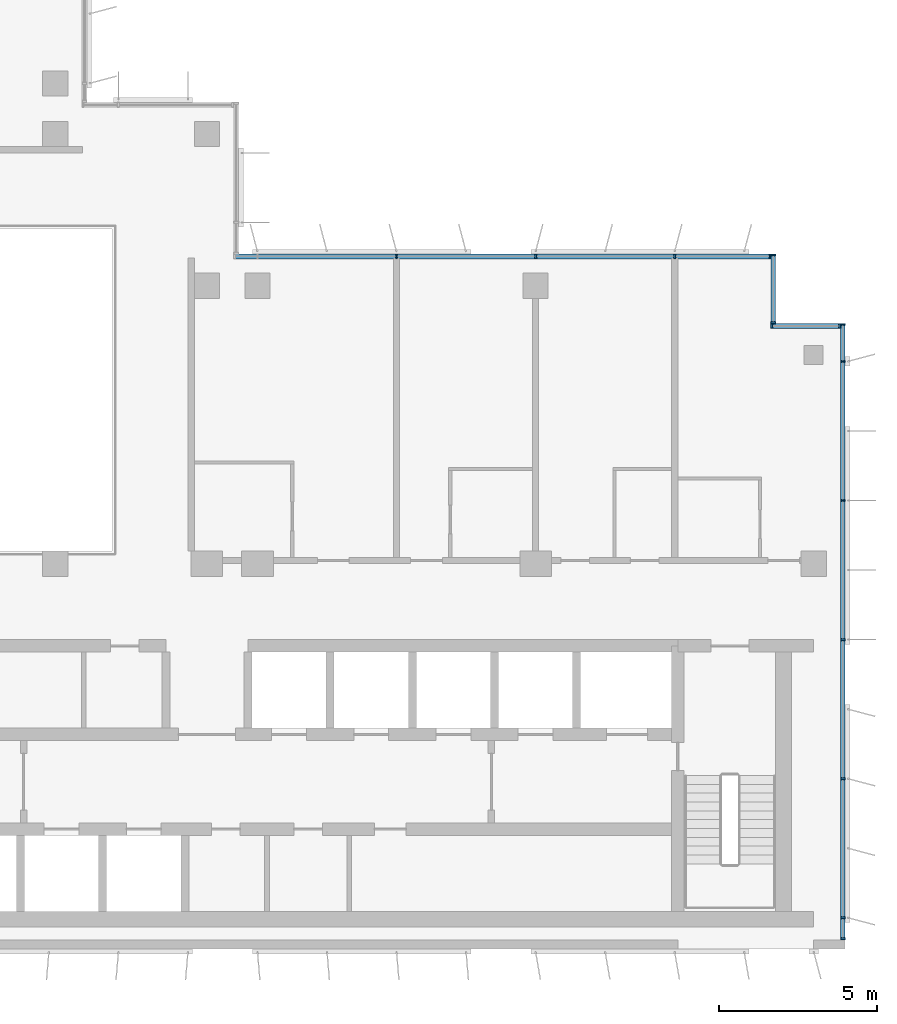
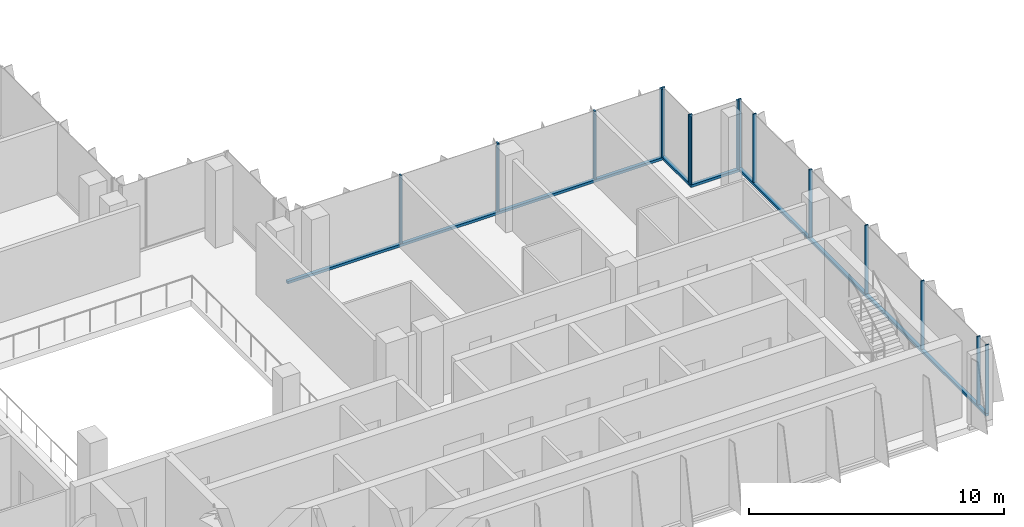
# One storey, part 3 of 15: 19 members, 4 elements without a shape of their own.
"""IFC4 building model written with IfcOpenShell, lengths in metres."""

from ifc_helpers import new_model, si_unit, direction, frame, origin, origin_2d, place, context, subcontext, project, spatial, rectangle, extrude, source, transform, mapped, material, material_profile, profile_set, type_object, element, aggregate, save


model = new_model("IFC4")

# Units and contexts
model_context = context("Model", 3, precision=1e-05, world=origin(), true_north=direction((0.0, 1.0)))
body_context = subcontext(model_context, "Body", "Model", "MODEL_VIEW")
ifc_project = project(units=[si_unit("LENGTHUNIT", "METRE"), si_unit("AREAUNIT", "SQUARE_METRE"), si_unit("VOLUMEUNIT", "CUBIC_METRE"), si_unit("PLANEANGLEUNIT", "RADIAN"), si_unit("MASSUNIT", "GRAM", prefix="KILO")], contexts=[model_context])

# Site, building, storey
site_placement = place(None, origin())
site = spatial("IfcSite", under=ifc_project, at=site_placement, CompositionType="ELEMENT")
building_placement = place(site_placement, origin())
building = spatial("IfcBuilding", under=site, at=building_placement, Name="Kemantara Hotel Tower", CompositionType="ELEMENT")
storey_placement = place(building_placement, frame((0.0, 0.0, 279.60009765625)))
storey = spatial("IfcBuildingStorey", under=building, at=storey_placement, Name="L70", CompositionType="ELEMENT", Elevation=279.60009765625)

# Curtain wall, member
ifc_material_1 = material(Name="Low-E tinted double insulated glass 36 mm", Category="glass")
curtain_wall_type = type_object("IfcCurtainWallType", Name="TOWER CURTAIN WALL, FRONT FACES", PredefinedType="USERDEFINED", material=ifc_material_1)
curtain_wall_1_placement = place(storey_placement, origin())
curtain_wall_1 = element("IfcCurtainWall", 1, at=curtain_wall_1_placement, inside=storey, type_object=curtain_wall_type, Name="CW4 L70 T4-R09-1", ObjectType="TOWER CURTAIN WALL, FRONT FACES", PredefinedType="USERDEFINED")
ifc_material_2 = material(Name="Aluminium 6063-T6 bronze anodised", Category="aluminium")
ifc_material_profile_1 = material_profile(ifc_material_2, rectangle(XDim=0.14990234375, YDim=0.1201171875, at=origin_2d()), Name="TOWER CURTAIN WALL, FRONT FACES TRANSOM")
ifc_profile_set_1 = profile_set([ifc_material_profile_1], Name="Aluminium 6063-T6 bronze anodised")
member_type_1 = type_object("IfcMemberType", Name="TOWER CURTAIN WALL, FRONT FACES TRANSOM", PredefinedType="USERDEFINED", material=ifc_profile_set_1)
member_1_placement = place(storey_placement, frame((45.925048828125, 0.300048828125, 0.059814453125), z_axis=(0.0, 1.0, 0.0), x_axis=(-1.0, 0.0, 0.0)))
member_1 = element("IfcMember", 2, at=member_1_placement, type_object=member_type_1, Name="CW4 sill transom T4-R09-1", ObjectType="TRANSOM", PredefinedType="USERDEFINED", context=body_context, shape_type="SweptSolid", body=[
    extrude(rectangle(XDim=0.14990234375, YDim=0.1201171875, at=origin_2d()), origin(), (0.0, 0.0, 1.0), 19.5),
])

curtain_wall_2_placement = place(storey_placement, origin())
curtain_wall_2 = element("IfcCurtainWall", 3, at=curtain_wall_2_placement, inside=storey, type_object=curtain_wall_type, Name="CW4 L70 T4-R12-1", ObjectType="TOWER CURTAIN WALL, FRONT FACES", PredefinedType="USERDEFINED")
member_2_placement = place(storey_placement, frame((43.64990234375, 21.925048828125, 0.059814453125), z_axis=(-1.0, 0.0, 0.0), x_axis=(0.0, -1.0, 0.0)))
member_2 = element("IfcMember", 4, at=member_2_placement, type_object=member_type_1, Name="CW4 sill transom T4-R12-1", ObjectType="TRANSOM", PredefinedType="USERDEFINED", context=body_context, shape_type="SweptSolid", body=[
    extrude(rectangle(XDim=0.14990234375, YDim=0.1201171875, at=origin_2d()), origin(), (0.0, 0.0, 1.0), 17.0),
])

curtain_wall_3_placement = place(storey_placement, origin())
curtain_wall_3 = element("IfcCurtainWall", 5, at=curtain_wall_3_placement, inside=storey, type_object=curtain_wall_type, Name="CW4 L70 T4-R10-1", ObjectType="TOWER CURTAIN WALL, FRONT FACES", PredefinedType="USERDEFINED")
member_3_placement = place(storey_placement, frame((45.85009765625, 19.72509765625, 0.059814453125), z_axis=(-1.0, 0.0, 0.0), x_axis=(0.0, -1.0, 0.0)))
member_3 = element("IfcMember", 6, at=member_3_placement, type_object=member_type_1, Name="CW4 sill transom T4-R10-1", ObjectType="TRANSOM", PredefinedType="USERDEFINED", context=body_context, shape_type="SweptSolid", body=[
    extrude(rectangle(XDim=0.14990234375, YDim=0.1201171875, at=origin_2d()), origin(), (0.0, 0.0, 1.0), 2.2001953125),
])

curtain_wall_4_placement = place(storey_placement, origin())
curtain_wall_4 = element("IfcCurtainWall", 7, at=curtain_wall_4_placement, inside=storey, type_object=curtain_wall_type, Name="CW4 L70 T4-R11-1", ObjectType="TOWER CURTAIN WALL, FRONT FACES", PredefinedType="USERDEFINED")
member_4_placement = place(storey_placement, frame((43.72509765625, 19.800048828125, 0.059814453125), z_axis=(0.0, 1.0, 0.0), x_axis=(-1.0, 0.0, 0.0)))
member_4 = element("IfcMember", 8, at=member_4_placement, type_object=member_type_1, Name="CW4 sill transom T4-R11-1", ObjectType="TRANSOM", PredefinedType="USERDEFINED", context=body_context, shape_type="SweptSolid", body=[
    extrude(rectangle(XDim=0.14990234375, YDim=0.1201171875, at=origin_2d()), origin(), (0.0, 0.0, 1.0), 2.199951171875),
])

# Member
ifc_material_profile_2 = material_profile(ifc_material_2, rectangle(XDim=0.14990234375, YDim=0.06005859375, at=origin_2d()), Name="TOWER CURTAIN WALL, FRONT FACES MULLION")
ifc_profile_set_2 = profile_set([ifc_material_profile_2], Name="Aluminium 6063-T6 bronze anodised")
member_type_2 = type_object("IfcMemberType", Name="TOWER CURTAIN WALL, FRONT FACES MULLION", PredefinedType="MULLION", material=ifc_profile_set_2)
shared_shape = source(origin(), body_context, "Body", "SweptSolid", [
    extrude(rectangle(XDim=0.14990234375, YDim=0.06005859375, at=origin_2d()), origin(), (0.0, 0.0, 1.0), 3.280029296875),
])
member_5_placement = place(storey_placement, frame((45.925048828125, 0.330078125, 0.119873046875), z_axis=(0.0, 0.0, 1.0), x_axis=(-1.0, 0.0, 0.0)))
member_5 = element("IfcMember", 9, at=member_5_placement, type_object=member_type_2, Name="CW4 mullion T4-R09-1.1", PredefinedType="MULLION", context=body_context, shape_type="MappedRepresentation", body=[
    mapped(shared_shape, transform((0.0, 0.0, 0.0))),
])

member_6_placement = place(storey_placement, frame((45.925048828125, 1.0, 0.119873046875), z_axis=(0.0, 0.0, 1.0), x_axis=(-1.0, 0.0, 0.0)))
member_6 = element("IfcMember", 10, at=member_6_placement, type_object=member_type_2, Name="CW4 mullion T4-R09-1.2", PredefinedType="MULLION", context=body_context, shape_type="MappedRepresentation", body=[
    mapped(shared_shape, transform((0.0, 0.0, 0.0))),
])

member_7_placement = place(storey_placement, frame((45.925048828125, 5.39990234375, 0.119873046875), z_axis=(0.0, 0.0, 1.0), x_axis=(-1.0, 0.0, 0.0)))
member_7 = element("IfcMember", 11, at=member_7_placement, type_object=member_type_2, Name="CW4 mullion T4-R09-1.3", PredefinedType="MULLION", context=body_context, shape_type="MappedRepresentation", body=[
    mapped(shared_shape, transform((0.0, 0.0, 0.0))),
])

member_8_placement = place(storey_placement, frame((45.925048828125, 9.800048828125, 0.119873046875), z_axis=(0.0, 0.0, 1.0), x_axis=(-1.0, 0.0, 0.0)))
member_8 = element("IfcMember", 12, at=member_8_placement, type_object=member_type_2, Name="CW4 mullion T4-R09-1.4", PredefinedType="MULLION", context=body_context, shape_type="MappedRepresentation", body=[
    mapped(shared_shape, transform((0.0, 0.0, 0.0))),
])

member_9_placement = place(storey_placement, frame((45.925048828125, 14.199951171875, 0.119873046875), z_axis=(0.0, 0.0, 1.0), x_axis=(-1.0, 0.0, 0.0)))
member_9 = element("IfcMember", 13, at=member_9_placement, type_object=member_type_2, Name="CW4 mullion T4-R09-1.5", PredefinedType="MULLION", context=body_context, shape_type="MappedRepresentation", body=[
    mapped(shared_shape, transform((0.0, 0.0, 0.0))),
])

member_10_placement = place(storey_placement, frame((45.925048828125, 18.60009765625, 0.119873046875), z_axis=(0.0, 0.0, 1.0), x_axis=(-1.0, 0.0, 0.0)))
member_10 = element("IfcMember", 14, at=member_10_placement, type_object=member_type_2, Name="CW4 mullion T4-R09-1.6", PredefinedType="MULLION", context=body_context, shape_type="MappedRepresentation", body=[
    mapped(shared_shape, transform((0.0, 0.0, 0.0))),
])

member_11_placement = place(storey_placement, frame((45.925048828125, 19.77001953125, 0.119873046875), z_axis=(0.0, 0.0, 1.0), x_axis=(-1.0, 0.0, 0.0)))
member_11 = element("IfcMember", 15, at=member_11_placement, type_object=member_type_2, Name="CW4 mullion T4-R09-1.7", PredefinedType="MULLION", context=body_context, shape_type="MappedRepresentation", body=[
    mapped(shared_shape, transform((0.0, 0.0, 0.0))),
])

aggregate(curtain_wall_1, [member_1, member_5, member_6, member_7, member_8, member_9, member_10, member_11])

member_12_placement = place(storey_placement, frame((43.6201171875, 21.925048828125, 0.119873046875), z_axis=(0.0, 0.0, 1.0), x_axis=(0.0, -1.0, 0.0)))
member_12 = element("IfcMember", 16, at=member_12_placement, type_object=member_type_2, Name="CW4 mullion T4-R12-1.1", PredefinedType="MULLION", context=body_context, shape_type="MappedRepresentation", body=[
    mapped(shared_shape, transform((0.0, 0.0, 0.0))),
])

member_13_placement = place(storey_placement, frame((40.60009765625, 21.925048828125, 0.119873046875), z_axis=(0.0, 0.0, 1.0), x_axis=(0.0, -1.0, 0.0)))
member_13 = element("IfcMember", 17, at=member_13_placement, type_object=member_type_2, Name="CW4 mullion T4-R12-1.2", PredefinedType="MULLION", context=body_context, shape_type="MappedRepresentation", body=[
    mapped(shared_shape, transform((0.0, 0.0, 0.0))),
])

member_14_placement = place(storey_placement, frame((36.199951171875, 21.925048828125, 0.119873046875), z_axis=(0.0, 0.0, 1.0), x_axis=(0.0, -1.0, 0.0)))
member_14 = element("IfcMember", 18, at=member_14_placement, type_object=member_type_2, Name="CW4 mullion T4-R12-1.3", PredefinedType="MULLION", context=body_context, shape_type="MappedRepresentation", body=[
    mapped(shared_shape, transform((0.0, 0.0, 0.0))),
])

member_15_placement = place(storey_placement, frame((31.800048828125, 21.925048828125, 0.119873046875), z_axis=(0.0, 0.0, 1.0), x_axis=(0.0, -1.0, 0.0)))
member_15 = element("IfcMember", 19, at=member_15_placement, type_object=member_type_2, Name="CW4 mullion T4-R12-1.4", PredefinedType="MULLION", context=body_context, shape_type="MappedRepresentation", body=[
    mapped(shared_shape, transform((0.0, 0.0, 0.0))),
])

aggregate(curtain_wall_2, [member_2, member_12, member_13, member_14, member_15])

member_16_placement = place(storey_placement, frame((45.820068359375, 19.72509765625, 0.119873046875), z_axis=(0.0, 0.0, 1.0), x_axis=(0.0, -1.0, 0.0)))
member_16 = element("IfcMember", 20, at=member_16_placement, type_object=member_type_2, Name="CW4 mullion T4-R10-1.1", PredefinedType="MULLION", context=body_context, shape_type="MappedRepresentation", body=[
    mapped(shared_shape, transform((0.0, 0.0, 0.0))),
])

member_17_placement = place(storey_placement, frame((43.679931640625, 19.72509765625, 0.119873046875), z_axis=(0.0, 0.0, 1.0), x_axis=(0.0, -1.0, 0.0)))
member_17 = element("IfcMember", 21, at=member_17_placement, type_object=member_type_2, Name="CW4 mullion T4-R10-1.2", PredefinedType="MULLION", context=body_context, shape_type="MappedRepresentation", body=[
    mapped(shared_shape, transform((0.0, 0.0, 0.0))),
])

aggregate(curtain_wall_3, [member_3, member_16, member_17])

member_18_placement = place(storey_placement, frame((43.72509765625, 19.830078125, 0.119873046875), z_axis=(0.0, 0.0, 1.0), x_axis=(-1.0, 0.0, 0.0)))
member_18 = element("IfcMember", 22, at=member_18_placement, type_object=member_type_2, Name="CW4 mullion T4-R11-1.1", PredefinedType="MULLION", context=body_context, shape_type="MappedRepresentation", body=[
    mapped(shared_shape, transform((0.0, 0.0, 0.0))),
])

member_19_placement = place(storey_placement, frame((43.72509765625, 21.969970703125, 0.119873046875), z_axis=(0.0, 0.0, 1.0), x_axis=(-1.0, 0.0, 0.0)))
member_19 = element("IfcMember", 23, at=member_19_placement, type_object=member_type_2, Name="CW4 mullion T4-R11-1.2", PredefinedType="MULLION", context=body_context, shape_type="MappedRepresentation", body=[
    mapped(shared_shape, transform((0.0, 0.0, 0.0))),
])

aggregate(curtain_wall_4, [member_4, member_18, member_19])

save(model, "model.ifc")
